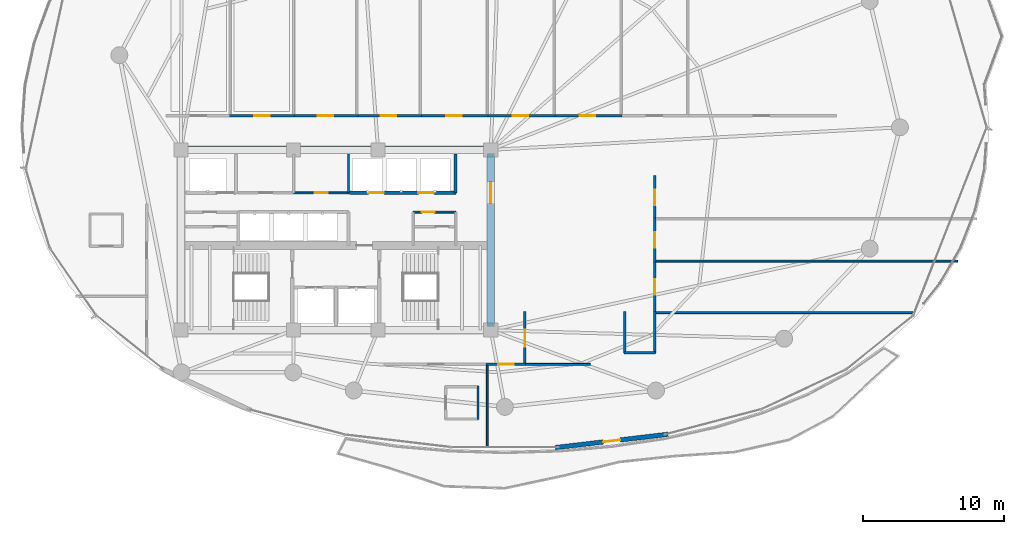
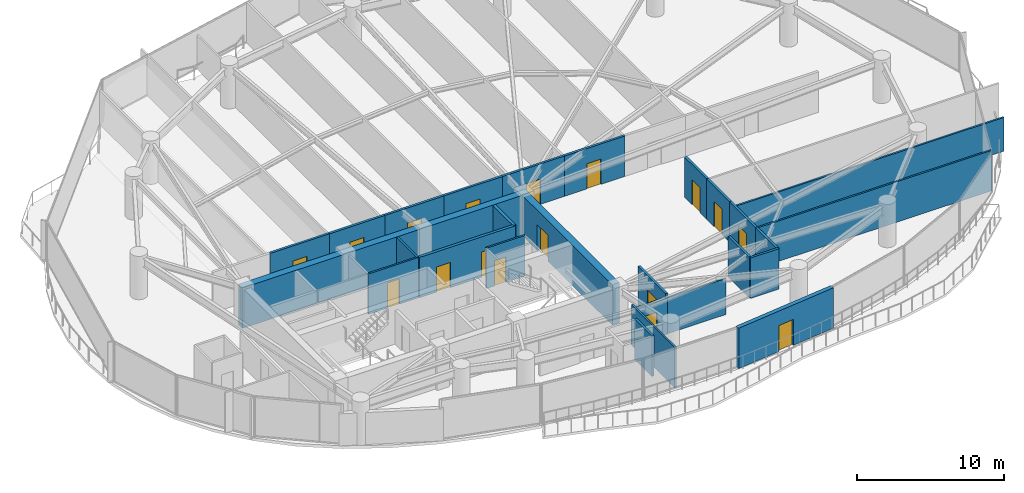
# One storey, part 27 of 34: 27 walls, 17 doors, 17 openings.
"""IFC4 building model written with IfcOpenShell, lengths in metres."""

from ifc_helpers import new_model, si_unit, direction, frame, frame_2d, origin, place, context, subcontext, project, spatial, rectangle, extrude, material, layer, layer_set, type_object, element, fill, save


model = new_model("IFC4")

# Units and contexts
model_context = context("Model", 3, precision=1e-05, world=origin(), true_north=direction((0.0, 1.0)))
body_context = subcontext(model_context, "Body", "Model", "MODEL_VIEW")
ifc_project = project(units=[si_unit("LENGTHUNIT", "METRE"), si_unit("AREAUNIT", "SQUARE_METRE"), si_unit("VOLUMEUNIT", "CUBIC_METRE"), si_unit("PLANEANGLEUNIT", "RADIAN"), si_unit("MASSUNIT", "GRAM", prefix="KILO")], contexts=[model_context])

# Site, building, storey
site_placement = place(None, origin())
site = spatial("IfcSite", under=ifc_project, at=site_placement, CompositionType="ELEMENT")
building_placement = place(site_placement, origin())
building = spatial("IfcBuilding", under=site, at=building_placement, Name="Kazevale Care Tower and Concert Hall", CompositionType="ELEMENT")
storey_placement = place(building_placement, frame((0.0, 0.0, 174.60009765625)))
storey = spatial("IfcBuildingStorey", under=building, at=storey_placement, Name="L46", CompositionType="ELEMENT", Elevation=174.60009765625)

# Wall, opening, door
ifc_material_1 = material(Name="Acoustic Gypsum on Steel Stud", Category="steel")
ifc_layer_1 = layer(ifc_material_1, 0.139892578125)
ifc_layer_set_1 = layer_set([ifc_layer_1], Name="Acoustic Gypsum on Steel Stud")
wall_type_1 = type_object("IfcWallType", Name="Acoustic Care & Suite Partition 140", PredefinedType="PARTITIONING", material=ifc_layer_set_1)
wall_1_placement = place(storey_placement, frame((30.0, 33.35009765625, 0.0), z_axis=(0.0, 0.0, 1.0), x_axis=(1.0, 0.0, 0.0)))
wall_1 = element("IfcWall", 1, at=wall_1_placement, inside=storey, type_object=wall_type_1, Name="wall:L46:c_rpl2_s", PredefinedType="PARTITIONING", context=body_context, shape_type="SweptSolid", body=[
    extrude(rectangle(XDim=3.919921875, YDim=0.139892578125, at=frame_2d((1.9599609375, 0.0))), origin(), (0.0, 0.0, 1.0), 3.35986328125),
])
opening_1_placement = place(wall_1_placement, frame((1.5, 0.0, 0.0)))
opening_1 = element("IfcOpeningElement", 2, at=opening_1_placement, cuts=wall_1, Name="Opening ID-900", PredefinedType="OPENING", context=body_context, shape_type="SweptSolid", body=[
    extrude(rectangle(XDim=0.919921875, YDim=2.10009765625, at=frame_2d((0.4599609375, 1.050048828125))), frame((0.0, 0.079833984375, 0.0), z_axis=(0.0, -1.0, 0.0), x_axis=(1.0, 0.0, 0.0)), (0.0, 0.0, 1.0), 0.159912109375),
])
ifc_material_2 = material(Name="Oak Timber Fire Leaf", Category="wood")
door_type_1 = type_object("IfcDoorType", Name="Bathroom & Service Door 920x2100", OperationType="NOTDEFINED", PredefinedType="DOOR", material=ifc_material_2)
door_1_placement = place(opening_1_placement, origin())
door_1 = element("IfcDoor", 3, at=door_1_placement, inside=storey, type_object=door_type_1, Name="door:L46:d_rpl2", OperationType="SINGLE_SWING_RIGHT", OverallHeight=2.10009765625, OverallWidth=0.919921875, PredefinedType="DOOR", context=body_context, shape_type="SweptSolid", body=[
    extrude(rectangle(XDim=0.919921875, YDim=2.10009765625, at=frame_2d((0.4599609375, 1.050048828125))), frame((0.0, 0.02490234375, 0.0), z_axis=(0.0, -1.0, 0.0), x_axis=(1.0, 0.0, 0.0)), (0.0, 0.0, 1.0), 0.050048828125),
])
fill(opening_1, door_1)

# Wall
wall_2_placement = place(storey_placement, frame((33.89990234375, 33.35009765625, 0.0), z_axis=(0.0, 0.0, 1.0), x_axis=(0.0, 1.0, 0.0)))
element("IfcWall", 4, at=wall_2_placement, inside=storey, type_object=wall_type_1, Name="wall:L46:c_rpl_e", PredefinedType="PARTITIONING", context=body_context, shape_type="SweptSolid", body=[
    extrude(rectangle(XDim=2.75, YDim=0.139892578125, at=frame_2d((1.375, 0.0))), origin(), (0.0, 0.0, 1.0), 3.35986328125),
])

# Wall, opening, door
wall_3_placement = place(storey_placement, frame((38.47998046875, 31.97998046875, 0.0), z_axis=(0.0, 0.0, 1.0), x_axis=(1.0, 0.0, 0.0)))
wall_3 = element("IfcWall", 5, at=wall_3_placement, inside=storey, type_object=wall_type_1, Name="wall:L46:kc_en", PredefinedType="PARTITIONING", context=body_context, shape_type="SweptSolid", body=[
    extrude(rectangle(XDim=3.0400390625, YDim=0.139892578125, at=frame_2d((1.52001953125, 0.0))), origin(), (0.0, 0.0, 1.0), 3.35986328125),
])
opening_2_placement = place(wall_3_placement, frame((0.614013671875, 0.0, 0.0)))
opening_2 = element("IfcOpeningElement", 6, at=opening_2_placement, cuts=wall_3, Name="Opening ID-900", PredefinedType="OPENING", context=body_context, shape_type="SweptSolid", body=[
    extrude(rectangle(XDim=0.919921875, YDim=2.10009765625, at=frame_2d((0.4599609375, 1.050048828125))), frame((0.0, 0.079833984375, 0.0), z_axis=(0.0, -1.0, 0.0), x_axis=(1.0, 0.0, 0.0)), (0.0, 0.0, 1.0), 0.159912109375),
])
door_2_placement = place(opening_2_placement, origin())
door_2 = element("IfcDoor", 7, at=door_2_placement, inside=storey, type_object=door_type_1, Name="door:L46:d_kcet", OperationType="SINGLE_SWING_LEFT", OverallHeight=2.10009765625, OverallWidth=0.919921875, PredefinedType="DOOR", context=body_context, shape_type="SweptSolid", body=[
    extrude(rectangle(XDim=0.919921875, YDim=2.10009765625, at=frame_2d((0.4599609375, 1.050048828125))), frame((0.0, 0.02490234375, 0.0), z_axis=(0.0, -1.0, 0.0), x_axis=(1.0, 0.0, 0.0)), (0.0, 0.0, 1.0), 0.050048828125),
])
fill(opening_2, door_2)

# Walls
wall_4_placement = place(storey_placement, frame((55.6201171875, 24.840087890625, 0.0), z_axis=(0.0, 0.0, 1.0), x_axis=(1.0, 0.0, 0.0)))
element("IfcWall", 8, at=wall_4_placement, inside=storey, type_object=wall_type_1, Name="wall:L46:auto_029", PredefinedType="PARTITIONING", context=body_context, shape_type="SweptSolid", body=[
    extrude(rectangle(XDim=18.44482421875, YDim=0.139892578125, at=frame_2d((9.222412109375, 0.0))), origin(), (0.0, 0.0, 1.0), 3.35986328125),
])
wall_5_placement = place(storey_placement, frame((51.06494140625, 21.175048828125, 0.0), z_axis=(0.0, 0.0, 1.0), x_axis=(-1.0, 0.0, 0.0)))
element("IfcWall", 9, at=wall_5_placement, inside=storey, type_object=wall_type_1, Name="wall:L46:auto_030", PredefinedType="PARTITIONING", context=body_context, shape_type="SweptSolid", body=[
    extrude(rectangle(XDim=4.669921875, YDim=0.139892578125, at=frame_2d((2.3349609375, 0.0))), origin(), (0.0, 0.0, 1.0), 2.995849609375),
])
wall_6_placement = place(storey_placement, frame((55.6201171875, 28.5, 0.0), z_axis=(0.0, 0.0, 1.0), x_axis=(1.0, 0.0, 0.0)))
element("IfcWall", 10, at=wall_6_placement, inside=storey, type_object=wall_type_1, Name="wall:L46:auto_031", PredefinedType="PARTITIONING", context=body_context, shape_type="SweptSolid", body=[
    extrude(rectangle(XDim=21.519775390625, YDim=0.139892578125, at=frame_2d((10.759765625, 0.0))), origin(), (0.0, 0.0, 1.0), 2.805908203125),
])
wall_7_placement = place(storey_placement, frame((43.75, 21.205078125, 0.0), z_axis=(0.0, 0.0, 1.0), x_axis=(0.0, -1.0, 0.0)))
element("IfcWall", 11, at=wall_7_placement, inside=storey, type_object=wall_type_1, Name="wall:L46:auto_033", PredefinedType="PARTITIONING", context=body_context, shape_type="SweptSolid", body=[
    extrude(rectangle(XDim=5.906005859375, YDim=0.139892578125, at=frame_2d((2.953125, 0.0))), origin(), (0.0, 0.0, 1.0), 3.35986328125),
])
ifc_material_3 = material(Name="Concrete C60", Category="concrete")
ifc_layer_2 = layer(ifc_material_3, 0.550048828125)
ifc_layer_set_2 = layer_set([ifc_layer_2], Name="Concrete C60")
wall_type_2 = type_object("IfcWallType", Name="Core Shear Wall 550 C60", PredefinedType="SHEAR", material=ifc_layer_set_2)
wall_8_placement = place(storey_placement, frame((21.72509765625, 36.39990234375, 0.0), z_axis=(0.0, 0.0, 1.0), x_axis=(1.0, 0.0, 0.0)))
element("IfcWall", 12, at=wall_8_placement, inside=storey, type_object=wall_type_2, Name="wall:L46:core:N", PredefinedType="SHEAR", context=body_context, shape_type="SweptSolid", body=[
    extrude(rectangle(XDim=22.5498046875, YDim=0.550048828125, at=frame_2d((11.27490234375, 0.0))), origin(), (0.0, 0.0, 1.0), 3.35986328125),
])

# Wall, opening, door
wall_9_placement = place(storey_placement, frame((44.0, 23.875, 0.0), z_axis=(0.0, 0.0, 1.0), x_axis=(0.0, 1.0, 0.0)))
wall_9 = element("IfcWall", 13, at=wall_9_placement, inside=storey, type_object=wall_type_2, Name="wall:L46:core:E", PredefinedType="SHEAR", context=body_context, shape_type="SweptSolid", body=[
    extrude(rectangle(XDim=12.25, YDim=0.550048828125, at=frame_2d((6.125, 0.0))), origin(), (0.0, 0.0, 1.0), 3.35986328125),
])
opening_3_placement = place(wall_9_placement, frame((8.72509765625, 0.0, 0.0)))
opening_3 = element("IfcOpeningElement", 14, at=opening_3_placement, cuts=wall_9, Name="Opening FD-60D", PredefinedType="OPENING", context=body_context, shape_type="SweptSolid", body=[
    extrude(rectangle(XDim=1.5, YDim=2.14990234375, at=frame_2d((0.75, 1.074951171875))), frame((0.0, 0.284912109375, 0.0), z_axis=(0.0, -1.0, 0.0), x_axis=(1.0, 0.0, 0.0)), (0.0, 0.0, 1.0), 0.570068359375),
])
door_type_2 = type_object("IfcDoorType", Name="Double Lobby & Auditorium Fire Door 1500x2150", OperationType="NOTDEFINED", PredefinedType="DOOR", material=ifc_material_2)
door_3_placement = place(opening_3_placement, origin())
door_3 = element("IfcDoor", 15, at=door_3_placement, inside=storey, type_object=door_type_2, Name="door:L46:core_east_out", OperationType="DOUBLE_DOOR_SINGLE_SWING", OverallHeight=2.14990234375, OverallWidth=1.5, PredefinedType="DOOR", context=body_context, shape_type="SweptSolid", body=[
    extrude(rectangle(XDim=1.5, YDim=2.14990234375, at=frame_2d((0.75, 1.074951171875))), frame((0.0, 0.02490234375, 0.0), z_axis=(0.0, -1.0, 0.0), x_axis=(1.0, 0.0, 0.0)), (0.0, 0.0, 1.0), 0.050048828125),
])
fill(opening_3, door_3)

# Wall, openings, doors
ifc_material_4 = material(Name="Concrete C40", Category="concrete")
ifc_layer_3 = layer(ifc_material_4, 0.219970703125)
ifc_layer_set_3 = layer_set([ifc_layer_3], Name="Concrete C40")
wall_type_3 = type_object("IfcWallType", Name="Elevator Hoistway Shaft Wall 220", PredefinedType="SOLIDWALL", material=ifc_layer_set_3)
wall_10_placement = place(storey_placement, frame((33.97998046875, 33.35009765625, 0.0), z_axis=(0.0, 0.0, 1.0), x_axis=(1.0, 0.0, 0.0)))
wall_10 = element("IfcWall", 16, at=wall_10_placement, inside=storey, type_object=wall_type_3, Name="wall:L46:c_pm_s", PredefinedType="SOLIDWALL", context=body_context, shape_type="SweptSolid", body=[
    extrude(rectangle(XDim=7.5400390625, YDim=0.219970703125, at=frame_2d((3.77001953125, 0.0))), origin(), (0.0, 0.0, 1.0), 3.35986328125),
])
opening_4_placement = place(wall_10_placement, frame((1.3349609375, 0.0, 0.0)))
opening_4 = element("IfcOpeningElement", 17, at=opening_4_placement, cuts=wall_10, Name="Opening LD-PAX", PredefinedType="OPENING", context=body_context, shape_type="SweptSolid", body=[
    extrude(rectangle(XDim=1.10009765625, YDim=2.10009765625, at=frame_2d((0.550048828125, 1.050048828125))), frame((0.0, 0.119873046875, 0.0), z_axis=(0.0, -1.0, 0.0), x_axis=(1.0, 0.0, 0.0)), (0.0, 0.0, 1.0), 0.239990234375),
])
opening_5_placement = place(wall_10_placement, frame((4.87890625, 0.0, 0.0)))
opening_5 = element("IfcOpeningElement", 18, at=opening_5_placement, cuts=wall_10, Name="Opening LD-PAX", PredefinedType="OPENING", context=body_context, shape_type="SweptSolid", body=[
    extrude(rectangle(XDim=1.10009765625, YDim=2.10009765625, at=frame_2d((0.550048828125, 1.050048828125))), frame((0.0, 0.119873046875, 0.0), z_axis=(0.0, -1.0, 0.0), x_axis=(1.0, 0.0, 0.0)), (0.0, 0.0, 1.0), 0.239990234375),
])
ifc_material_5 = material(Name="Stainless Steel 316", Category="steel")
door_type_3 = type_object("IfcDoorType", Name="Passenger Lift Sliding Landing Door 1100x2100", OperationType="NOTDEFINED", PredefinedType="DOOR", material=ifc_material_5)
door_4_placement = place(opening_4_placement, origin())
door_4 = element("IfcDoor", 19, at=door_4_placement, inside=storey, type_object=door_type_3, Name="door:L46:ld_pm1", OperationType="SLIDING_TO_LEFT", OverallHeight=2.10009765625, OverallWidth=1.10009765625, PredefinedType="DOOR", context=body_context, shape_type="SweptSolid", body=[
    extrude(rectangle(XDim=1.10009765625, YDim=2.10009765625, at=frame_2d((0.550048828125, 1.050048828125))), frame((0.0, 0.02490234375, 0.0), z_axis=(0.0, -1.0, 0.0), x_axis=(1.0, 0.0, 0.0)), (0.0, 0.0, 1.0), 0.050048828125),
])
fill(opening_4, door_4)
door_5_placement = place(opening_5_placement, origin())
door_5 = element("IfcDoor", 20, at=door_5_placement, inside=storey, type_object=door_type_3, Name="door:L46:ld_pm2", OperationType="SLIDING_TO_RIGHT", OverallHeight=2.10009765625, OverallWidth=1.10009765625, PredefinedType="DOOR", context=body_context, shape_type="SweptSolid", body=[
    extrude(rectangle(XDim=1.10009765625, YDim=2.10009765625, at=frame_2d((0.550048828125, 1.050048828125))), frame((0.0, 0.02490234375, 0.0), z_axis=(0.0, -1.0, 0.0), x_axis=(1.0, 0.0, 0.0)), (0.0, 0.0, 1.0), 0.050048828125),
])
fill(opening_5, door_5)

# Wall
wall_11_placement = place(storey_placement, frame((41.5, 33.35009765625, 0.0), z_axis=(0.0, 0.0, 1.0), x_axis=(0.0, 1.0, 0.0)))
element("IfcWall", 21, at=wall_11_placement, inside=storey, type_object=wall_type_3, Name="wall:L46:c_pm_e", PredefinedType="SOLIDWALL", context=body_context, shape_type="SweptSolid", body=[
    extrude(rectangle(XDim=2.75, YDim=0.219970703125, at=frame_2d((1.375, 0.0))), origin(), (0.0, 0.0, 1.0), 3.35986328125),
])

# Wall, opening, door
ifc_material_6 = material(Name="Concrete C40 and Acoustic Gypsum", Category="concrete")
ifc_layer_4 = layer(ifc_material_6, 0.179931640625)
ifc_layer_set_4 = layer_set([ifc_layer_4], Name="Concrete C40 and Acoustic Gypsum")
wall_type_4 = type_object("IfcWallType", Name="Fire-Rated Corridor & Party Wall 180", PredefinedType="PARTITIONING", material=ifc_layer_set_4)
wall_12_placement = place(storey_placement, frame((25.43505859375, 38.824951171875, 0.0), z_axis=(0.0, 0.0, 1.0), x_axis=(1.0, 0.0, 0.0)))
wall_12 = element("IfcWall", 22, at=wall_12_placement, inside=storey, type_object=wall_type_4, Name="wall:L46:auto_002", PredefinedType="PARTITIONING", context=body_context, shape_type="SweptSolid", body=[
    extrude(rectangle(XDim=4.6298828125, YDim=0.179931640625, at=frame_2d((2.31494140625, 0.0))), origin(), (0.0, 0.0, 1.0), 3.35986328125),
])
opening_6_placement = place(wall_12_placement, frame((1.764892578125, 0.0, 0.0)))
opening_6 = element("IfcOpeningElement", 23, at=opening_6_placement, cuts=wall_12, Name="Opening ID-1100", PredefinedType="OPENING", context=body_context, shape_type="SweptSolid", body=[
    extrude(rectangle(XDim=1.10009765625, YDim=2.10009765625, at=frame_2d((0.550048828125, 1.050048828125))), frame((0.0, 0.099853515625, 0.0), z_axis=(0.0, -1.0, 0.0), x_axis=(1.0, 0.0, 0.0)), (0.0, 0.0, 1.0), 0.199951171875),
])
door_type_4 = type_object("IfcDoorType", Name="Care Bedroom Accessible Door 1100x2100", OperationType="NOTDEFINED", PredefinedType="DOOR", material=ifc_material_2)
door_6_placement = place(opening_6_placement, origin())
door_6 = element("IfcDoor", 24, at=door_6_placement, inside=storey, type_object=door_type_4, Name="door:L46:ad_002", OperationType="SINGLE_SWING_LEFT", OverallHeight=2.10009765625, OverallWidth=1.10009765625, PredefinedType="DOOR", context=body_context, shape_type="SweptSolid", body=[
    extrude(rectangle(XDim=1.10009765625, YDim=2.10009765625, at=frame_2d((0.550048828125, 1.050048828125))), frame((0.0, 0.02490234375, 0.0), z_axis=(0.0, -1.0, 0.0), x_axis=(1.0, 0.0, 0.0)), (0.0, 0.0, 1.0), 0.050048828125),
])
fill(opening_6, door_6)

wall_13_placement = place(storey_placement, frame((29.93505859375, 38.824951171875, 0.0), z_axis=(0.0, 0.0, 1.0), x_axis=(1.0, 0.0, 0.0)))
wall_13 = element("IfcWall", 25, at=wall_13_placement, inside=storey, type_object=wall_type_4, Name="wall:L46:auto_003", PredefinedType="PARTITIONING", context=body_context, shape_type="SweptSolid", body=[
    extrude(rectangle(XDim=4.6298828125, YDim=0.179931640625, at=frame_2d((2.31494140625, 0.0))), origin(), (0.0, 0.0, 1.0), 3.35986328125),
])
opening_7_placement = place(wall_13_placement, frame((1.764892578125, 0.0, 0.0)))
opening_7 = element("IfcOpeningElement", 26, at=opening_7_placement, cuts=wall_13, Name="Opening ID-1100", PredefinedType="OPENING", context=body_context, shape_type="SweptSolid", body=[
    extrude(rectangle(XDim=1.10009765625, YDim=2.10009765625, at=frame_2d((0.550048828125, 1.050048828125))), frame((0.0, 0.099853515625, 0.0), z_axis=(0.0, -1.0, 0.0), x_axis=(1.0, 0.0, 0.0)), (0.0, 0.0, 1.0), 0.199951171875),
])
door_7_placement = place(opening_7_placement, origin())
door_7 = element("IfcDoor", 27, at=door_7_placement, inside=storey, type_object=door_type_4, Name="door:L46:ad_003", OperationType="SINGLE_SWING_LEFT", OverallHeight=2.10009765625, OverallWidth=1.10009765625, PredefinedType="DOOR", context=body_context, shape_type="SweptSolid", body=[
    extrude(rectangle(XDim=1.10009765625, YDim=2.10009765625, at=frame_2d((0.550048828125, 1.050048828125))), frame((0.0, 0.02490234375, 0.0), z_axis=(0.0, -1.0, 0.0), x_axis=(1.0, 0.0, 0.0)), (0.0, 0.0, 1.0), 0.050048828125),
])
fill(opening_7, door_7)

wall_14_placement = place(storey_placement, frame((34.43505859375, 38.824951171875, 0.0), z_axis=(0.0, 0.0, 1.0), x_axis=(1.0, 0.0, 0.0)))
wall_14 = element("IfcWall", 28, at=wall_14_placement, inside=storey, type_object=wall_type_4, Name="wall:L46:auto_004", PredefinedType="PARTITIONING", context=body_context, shape_type="SweptSolid", body=[
    extrude(rectangle(XDim=4.6298828125, YDim=0.179931640625, at=frame_2d((2.31494140625, 0.0))), origin(), (0.0, 0.0, 1.0), 3.35986328125),
])
opening_8_placement = place(wall_14_placement, frame((1.764892578125, 0.0, 0.0)))
opening_8 = element("IfcOpeningElement", 29, at=opening_8_placement, cuts=wall_14, Name="Opening ID-1100", PredefinedType="OPENING", context=body_context, shape_type="SweptSolid", body=[
    extrude(rectangle(XDim=1.10009765625, YDim=2.10009765625, at=frame_2d((0.550048828125, 1.050048828125))), frame((0.0, 0.099853515625, 0.0), z_axis=(0.0, -1.0, 0.0), x_axis=(1.0, 0.0, 0.0)), (0.0, 0.0, 1.0), 0.199951171875),
])
door_8_placement = place(opening_8_placement, origin())
door_8 = element("IfcDoor", 30, at=door_8_placement, inside=storey, type_object=door_type_4, Name="door:L46:ad_004", OperationType="SINGLE_SWING_LEFT", OverallHeight=2.10009765625, OverallWidth=1.10009765625, PredefinedType="DOOR", context=body_context, shape_type="SweptSolid", body=[
    extrude(rectangle(XDim=1.10009765625, YDim=2.10009765625, at=frame_2d((0.550048828125, 1.050048828125))), frame((0.0, 0.02490234375, 0.0), z_axis=(0.0, -1.0, 0.0), x_axis=(1.0, 0.0, 0.0)), (0.0, 0.0, 1.0), 0.050048828125),
])
fill(opening_8, door_8)

wall_15_placement = place(storey_placement, frame((38.93505859375, 38.824951171875, 0.0), z_axis=(0.0, 0.0, 1.0), x_axis=(1.0, 0.0, 0.0)))
wall_15 = element("IfcWall", 31, at=wall_15_placement, inside=storey, type_object=wall_type_4, Name="wall:L46:auto_005", PredefinedType="PARTITIONING", context=body_context, shape_type="SweptSolid", body=[
    extrude(rectangle(XDim=4.8798828125, YDim=0.179931640625, at=frame_2d((2.43994140625, 0.0))), origin(), (0.0, 0.0, 1.0), 3.35986328125),
])
opening_9_placement = place(wall_15_placement, frame((1.889892578125, 0.0, 0.0)))
opening_9 = element("IfcOpeningElement", 32, at=opening_9_placement, cuts=wall_15, Name="Opening ID-1100", PredefinedType="OPENING", context=body_context, shape_type="SweptSolid", body=[
    extrude(rectangle(XDim=1.10009765625, YDim=2.10009765625, at=frame_2d((0.550048828125, 1.050048828125))), frame((0.0, 0.099853515625, 0.0), z_axis=(0.0, -1.0, 0.0), x_axis=(1.0, 0.0, 0.0)), (0.0, 0.0, 1.0), 0.199951171875),
])
door_9_placement = place(opening_9_placement, origin())
door_9 = element("IfcDoor", 33, at=door_9_placement, inside=storey, type_object=door_type_4, Name="door:L46:ad_005", OperationType="SINGLE_SWING_LEFT", OverallHeight=2.10009765625, OverallWidth=1.10009765625, PredefinedType="DOOR", context=body_context, shape_type="SweptSolid", body=[
    extrude(rectangle(XDim=1.10009765625, YDim=2.10009765625, at=frame_2d((0.550048828125, 1.050048828125))), frame((0.0, 0.02490234375, 0.0), z_axis=(0.0, -1.0, 0.0), x_axis=(1.0, 0.0, 0.0)), (0.0, 0.0, 1.0), 0.050048828125),
])
fill(opening_9, door_9)

wall_16_placement = place(storey_placement, frame((43.68505859375, 38.824951171875, 0.0), z_axis=(0.0, 0.0, 1.0), x_axis=(1.0, 0.0, 0.0)))
wall_16 = element("IfcWall", 34, at=wall_16_placement, inside=storey, type_object=wall_type_4, Name="wall:L46:auto_006", PredefinedType="PARTITIONING", context=body_context, shape_type="SweptSolid", body=[
    extrude(rectangle(XDim=4.8798828125, YDim=0.179931640625, at=frame_2d((2.43994140625, 0.0))), origin(), (0.0, 0.0, 1.0), 3.35986328125),
])
opening_10_placement = place(wall_16_placement, frame((1.889892578125, 0.0, 0.0)))
opening_10 = element("IfcOpeningElement", 35, at=opening_10_placement, cuts=wall_16, Name="Opening ID-1100", PredefinedType="OPENING", context=body_context, shape_type="SweptSolid", body=[
    extrude(rectangle(XDim=1.10009765625, YDim=2.10009765625, at=frame_2d((0.550048828125, 1.050048828125))), frame((0.0, 0.099853515625, 0.0), z_axis=(0.0, -1.0, 0.0), x_axis=(1.0, 0.0, 0.0)), (0.0, 0.0, 1.0), 0.199951171875),
])
door_10_placement = place(opening_10_placement, origin())
door_10 = element("IfcDoor", 36, at=door_10_placement, inside=storey, type_object=door_type_4, Name="door:L46:ad_006", OperationType="SINGLE_SWING_LEFT", OverallHeight=2.10009765625, OverallWidth=1.10009765625, PredefinedType="DOOR", context=body_context, shape_type="SweptSolid", body=[
    extrude(rectangle(XDim=1.10009765625, YDim=2.10009765625, at=frame_2d((0.550048828125, 1.050048828125))), frame((0.0, 0.02490234375, 0.0), z_axis=(0.0, -1.0, 0.0), x_axis=(1.0, 0.0, 0.0)), (0.0, 0.0, 1.0), 0.050048828125),
])
fill(opening_10, door_10)

wall_17_placement = place(storey_placement, frame((48.43505859375, 38.824951171875, 0.0), z_axis=(0.0, 0.0, 1.0), x_axis=(1.0, 0.0, 0.0)))
wall_17 = element("IfcWall", 37, at=wall_17_placement, inside=storey, type_object=wall_type_4, Name="wall:L46:auto_007", PredefinedType="PARTITIONING", context=body_context, shape_type="SweptSolid", body=[
    extrude(rectangle(XDim=4.8798828125, YDim=0.179931640625, at=frame_2d((2.43994140625, 0.0))), origin(), (0.0, 0.0, 1.0), 3.35986328125),
])
opening_11_placement = place(wall_17_placement, frame((1.889892578125, 0.0, 0.0)))
opening_11 = element("IfcOpeningElement", 38, at=opening_11_placement, cuts=wall_17, Name="Opening ID-1100", PredefinedType="OPENING", context=body_context, shape_type="SweptSolid", body=[
    extrude(rectangle(XDim=1.10009765625, YDim=2.10009765625, at=frame_2d((0.550048828125, 1.050048828125))), frame((0.0, 0.099853515625, 0.0), z_axis=(0.0, -1.0, 0.0), x_axis=(1.0, 0.0, 0.0)), (0.0, 0.0, 1.0), 0.199951171875),
])
door_11_placement = place(opening_11_placement, origin())
door_11 = element("IfcDoor", 39, at=door_11_placement, inside=storey, type_object=door_type_4, Name="door:L46:ad_007", OperationType="SINGLE_SWING_LEFT", OverallHeight=2.10009765625, OverallWidth=1.10009765625, PredefinedType="DOOR", context=body_context, shape_type="SweptSolid", body=[
    extrude(rectangle(XDim=1.10009765625, YDim=2.10009765625, at=frame_2d((0.550048828125, 1.050048828125))), frame((0.0, 0.02490234375, 0.0), z_axis=(0.0, -1.0, 0.0), x_axis=(1.0, 0.0, 0.0)), (0.0, 0.0, 1.0), 0.050048828125),
])
fill(opening_11, door_11)

wall_18_placement = place(storey_placement, frame((46.425048828125, 24.905029296875, 0.0), z_axis=(0.0, 0.0, 1.0), x_axis=(0.0, -1.0, 0.0)))
wall_18 = element("IfcWall", 40, at=wall_18_placement, inside=storey, type_object=wall_type_4, Name="wall:L46:auto_010", PredefinedType="PARTITIONING", context=body_context, shape_type="SweptSolid", body=[
    extrude(rectangle(XDim=3.760009765625, YDim=0.179931640625, at=frame_2d((1.8798828125, 0.0))), origin(), (0.0, 0.0, 1.0), 3.35986328125),
])
opening_12_placement = place(wall_18_placement, frame((1.280029296875, 0.0, 0.0)))
opening_12 = element("IfcOpeningElement", 41, at=opening_12_placement, cuts=wall_18, Name="Opening ID-1200", PredefinedType="OPENING", context=body_context, shape_type="SweptSolid", body=[
    extrude(rectangle(XDim=1.199951171875, YDim=2.14990234375, at=frame_2d((0.60009765625, 1.074951171875))), frame((0.0, 0.099853515625, 0.0), z_axis=(0.0, -1.0, 0.0), x_axis=(1.0, 0.0, 0.0)), (0.0, 0.0, 1.0), 0.199951171875),
])
door_type_5 = type_object("IfcDoorType", Name="Clinical & Therapy Door 1200x2150", OperationType="NOTDEFINED", PredefinedType="DOOR", material=ifc_material_2)
door_12_placement = place(opening_12_placement, origin())
door_12 = element("IfcDoor", 42, at=door_12_placement, inside=storey, type_object=door_type_5, Name="door:L46:ad_010", OperationType="SINGLE_SWING_LEFT", OverallHeight=2.14990234375, OverallWidth=1.199951171875, PredefinedType="DOOR", context=body_context, shape_type="SweptSolid", body=[
    extrude(rectangle(XDim=1.199951171875, YDim=2.14990234375, at=frame_2d((0.60009765625, 1.074951171875))), frame((0.0, 0.02490234375, 0.0), z_axis=(0.0, -1.0, 0.0), x_axis=(1.0, 0.0, 0.0)), (0.0, 0.0, 1.0), 0.050048828125),
])
fill(opening_12, door_12)

# Walls
for number, where, z_axis, x_axis, name in (
    (43, (55.64990234375, 24.905029296875, 0.0), (0.0, 0.0, 1.0), (0.0, -1.0, 0.0), "wall:L46:auto_011"),
    (44, (53.5, 21.969970703125, 0.0), (0.0, 0.0, 1.0), (0.0, 1.0, 0.0), "wall:L46:auto_012"),
):
    element("IfcWall", number, at=place(storey_placement, frame(where, z_axis=z_axis, x_axis=x_axis)), inside=storey, type_object=wall_type_4, Name=name, PredefinedType="PARTITIONING", context=body_context, shape_type="SweptSolid", body=[
        extrude(rectangle(XDim=2.93505859375, YDim=0.179931640625, at=frame_2d((1.467529296875, 0.0))), origin(), (0.0, 0.0, 1.0), 3.35986328125),
    ])
wall_19_placement = place(storey_placement, frame((55.679931640625, 22.0, 0.0), z_axis=(0.0, 0.0, 1.0), x_axis=(-1.0, 0.0, 0.0)))
element("IfcWall", 45, at=wall_19_placement, inside=storey, type_object=wall_type_4, Name="wall:L46:auto_013", PredefinedType="PARTITIONING", context=body_context, shape_type="SweptSolid", body=[
    extrude(rectangle(XDim=2.2099609375, YDim=0.179931640625, at=frame_2d((1.10498046875, 0.0))), origin(), (0.0, 0.0, 1.0), 3.35986328125),
])

# Wall, opening, door
wall_20_placement = place(storey_placement, frame((55.64990234375, 28.56494140625, 0.0), z_axis=(0.0, 0.0, 1.0), x_axis=(0.0, -1.0, 0.0)))
wall_20 = element("IfcWall", 46, at=wall_20_placement, inside=storey, type_object=wall_type_4, Name="wall:L46:auto_014", PredefinedType="PARTITIONING", context=body_context, shape_type="SweptSolid", body=[
    extrude(rectangle(XDim=3.7900390625, YDim=0.179931640625, at=frame_2d((1.89501953125, 0.0))), origin(), (0.0, 0.0, 1.0), 3.35986328125),
])
opening_13_placement = place(wall_20_placement, frame((1.344970703125, 0.0, 0.0)))
opening_13 = element("IfcOpeningElement", 47, at=opening_13_placement, cuts=wall_20, Name="Opening ID-1100", PredefinedType="OPENING", context=body_context, shape_type="SweptSolid", body=[
    extrude(rectangle(XDim=1.10009765625, YDim=2.10009765625, at=frame_2d((0.550048828125, 1.050048828125))), frame((0.0, 0.099853515625, 0.0), z_axis=(0.0, -1.0, 0.0), x_axis=(1.0, 0.0, 0.0)), (0.0, 0.0, 1.0), 0.199951171875),
])
door_13_placement = place(opening_13_placement, origin())
door_13 = element("IfcDoor", 48, at=door_13_placement, inside=storey, type_object=door_type_4, Name="door:L46:ad_014", OperationType="SINGLE_SWING_LEFT", OverallHeight=2.10009765625, OverallWidth=1.10009765625, PredefinedType="DOOR", context=body_context, shape_type="SweptSolid", body=[
    extrude(rectangle(XDim=1.10009765625, YDim=2.10009765625, at=frame_2d((0.550048828125, 1.050048828125))), frame((0.0, 0.02490234375, 0.0), z_axis=(0.0, -1.0, 0.0), x_axis=(1.0, 0.0, 0.0)), (0.0, 0.0, 1.0), 0.050048828125),
])
fill(opening_13, door_13)

wall_21_placement = place(storey_placement, frame((55.64990234375, 31.56494140625, 0.0), z_axis=(0.0, 0.0, 1.0), x_axis=(0.0, -1.0, 0.0)))
wall_21 = element("IfcWall", 49, at=wall_21_placement, inside=storey, type_object=wall_type_4, Name="wall:L46:auto_015", PredefinedType="PARTITIONING", context=body_context, shape_type="SweptSolid", body=[
    extrude(rectangle(XDim=3.1298828125, YDim=0.179931640625, at=frame_2d((1.56494140625, 0.0))), origin(), (0.0, 0.0, 1.0), 3.35986328125),
])
opening_14_placement = place(wall_21_placement, frame((1.014892578125, 0.0, 0.0)))
opening_14 = element("IfcOpeningElement", 50, at=opening_14_placement, cuts=wall_21, Name="Opening ID-1100", PredefinedType="OPENING", context=body_context, shape_type="SweptSolid", body=[
    extrude(rectangle(XDim=1.10009765625, YDim=2.10009765625, at=frame_2d((0.550048828125, 1.050048828125))), frame((0.0, 0.099853515625, 0.0), z_axis=(0.0, -1.0, 0.0), x_axis=(1.0, 0.0, 0.0)), (0.0, 0.0, 1.0), 0.199951171875),
])
door_14_placement = place(opening_14_placement, origin())
door_14 = element("IfcDoor", 51, at=door_14_placement, inside=storey, type_object=door_type_4, Name="door:L46:ad_015", OperationType="SINGLE_SWING_LEFT", OverallHeight=2.10009765625, OverallWidth=1.10009765625, PredefinedType="DOOR", context=body_context, shape_type="SweptSolid", body=[
    extrude(rectangle(XDim=1.10009765625, YDim=2.10009765625, at=frame_2d((0.550048828125, 1.050048828125))), frame((0.0, 0.02490234375, 0.0), z_axis=(0.0, -1.0, 0.0), x_axis=(1.0, 0.0, 0.0)), (0.0, 0.0, 1.0), 0.050048828125),
])
fill(opening_14, door_14)

wall_22_placement = place(storey_placement, frame((55.64990234375, 34.56494140625, 0.0), z_axis=(0.0, 0.0, 1.0), x_axis=(0.0, -1.0, 0.0)))
wall_22 = element("IfcWall", 52, at=wall_22_placement, inside=storey, type_object=wall_type_4, Name="wall:L46:auto_016", PredefinedType="PARTITIONING", context=body_context, shape_type="SweptSolid", body=[
    extrude(rectangle(XDim=3.1298828125, YDim=0.179931640625, at=frame_2d((1.56494140625, 0.0))), origin(), (0.0, 0.0, 1.0), 3.35986328125),
])
opening_15_placement = place(wall_22_placement, frame((1.014892578125, 0.0, 0.0)))
opening_15 = element("IfcOpeningElement", 53, at=opening_15_placement, cuts=wall_22, Name="Opening ID-1100", PredefinedType="OPENING", context=body_context, shape_type="SweptSolid", body=[
    extrude(rectangle(XDim=1.10009765625, YDim=2.10009765625, at=frame_2d((0.550048828125, 1.050048828125))), frame((0.0, 0.099853515625, 0.0), z_axis=(0.0, -1.0, 0.0), x_axis=(1.0, 0.0, 0.0)), (0.0, 0.0, 1.0), 0.199951171875),
])
door_15_placement = place(opening_15_placement, origin())
door_15 = element("IfcDoor", 54, at=door_15_placement, inside=storey, type_object=door_type_4, Name="door:L46:ad_016", OperationType="SINGLE_SWING_LEFT", OverallHeight=2.10009765625, OverallWidth=1.10009765625, PredefinedType="DOOR", context=body_context, shape_type="SweptSolid", body=[
    extrude(rectangle(XDim=1.10009765625, YDim=2.10009765625, at=frame_2d((0.550048828125, 1.050048828125))), frame((0.0, 0.02490234375, 0.0), z_axis=(0.0, -1.0, 0.0), x_axis=(1.0, 0.0, 0.0)), (0.0, 0.0, 1.0), 0.050048828125),
])
fill(opening_15, door_15)

wall_23_placement = place(storey_placement, frame((46.455078125, 21.175048828125, 0.0), z_axis=(0.0, 0.0, 1.0), x_axis=(-1.0, 0.0, 0.0)))
wall_23 = element("IfcWall", 55, at=wall_23_placement, inside=storey, type_object=wall_type_4, Name="wall:L46:auto_018", PredefinedType="PARTITIONING", context=body_context, shape_type="SweptSolid", body=[
    extrude(rectangle(XDim=2.77001953125, YDim=0.179931640625, at=frame_2d((1.385009765625, 0.0))), origin(), (0.0, 0.0, 1.0), 2.995849609375),
])
opening_16_placement = place(wall_23_placement, frame((0.8349609375, 0.0, 0.0)))
opening_16 = element("IfcOpeningElement", 56, at=opening_16_placement, cuts=wall_23, Name="Opening ID-1100", PredefinedType="OPENING", context=body_context, shape_type="SweptSolid", body=[
    extrude(rectangle(XDim=1.10009765625, YDim=2.10009765625, at=frame_2d((0.550048828125, 1.050048828125))), frame((0.0, 0.099853515625, 0.0), z_axis=(0.0, -1.0, 0.0), x_axis=(1.0, 0.0, 0.0)), (0.0, 0.0, 1.0), 0.199951171875),
])
door_16_placement = place(opening_16_placement, origin())
door_16 = element("IfcDoor", 57, at=door_16_placement, inside=storey, type_object=door_type_4, Name="door:L46:ad_018", OperationType="SINGLE_SWING_LEFT", OverallHeight=2.10009765625, OverallWidth=1.10009765625, PredefinedType="DOOR", context=body_context, shape_type="SweptSolid", body=[
    extrude(rectangle(XDim=1.10009765625, YDim=2.10009765625, at=frame_2d((0.550048828125, 1.050048828125))), frame((0.0, 0.02490234375, 0.0), z_axis=(0.0, -1.0, 0.0), x_axis=(1.0, 0.0, 0.0)), (0.0, 0.0, 1.0), 0.050048828125),
])
fill(opening_16, door_16)

# Wall
ifc_layer_5 = layer(ifc_material_1, 0.159912109375)
ifc_layer_set_5 = layer_set([ifc_layer_5], Name="Acoustic Gypsum on Steel Stud")
wall_type_5 = type_object("IfcWallType", Name="Moisture-Resistant Bathroom Plumbing Wall 160", PredefinedType="PLUMBINGWALL", material=ifc_layer_set_5)
wall_24_placement = place(storey_placement, frame((43.10009765625, 17.241943359375, 0.0), z_axis=(0.0, 0.0, 1.0), x_axis=(0.0, 1.0, 0.0)))
element("IfcWall", 58, at=wall_24_placement, inside=storey, type_object=wall_type_5, Name="wall:L46:sb2a_ens_we", PredefinedType="PLUMBINGWALL", context=body_context, shape_type="SweptSolid", body=[
    extrude(rectangle(XDim=2.380126953125, YDim=0.159912109375, at=frame_2d((1.18994140625, 0.0))), origin(), (0.0, 0.0, 1.0), 3.35986328125),
])

# Wall, opening, door
ifc_material_7 = material(Name="Concrete C40 with Honed Limestone Cladding", Category="masonry")
ifc_layer_6 = layer(ifc_material_7, 0.320068359375)
ifc_layer_set_6 = layer_set([ifc_layer_6], Name="Concrete C40 with Honed Limestone Cladding")
wall_type_6 = type_object("IfcWallType", Name="Tower Honed Limestone Spandrel Wall 320", PredefinedType="STANDARD", material=ifc_layer_set_6)
wall_25_placement = place(storey_placement, frame((56.5869140625, 16.205078125, 0.0), z_axis=(0.0, 0.0, 1.0), x_axis=(-0.993072847957, -0.117500292131, 0.0)))
wall_25 = element("IfcWall", 59, at=wall_25_placement, inside=storey, type_object=wall_type_6, Name="wall:L46:bal_host", PredefinedType="STANDARD", context=body_context, shape_type="SweptSolid", body=[
    extrude(rectangle(XDim=8.059814453125, YDim=0.320068359375, at=frame_2d((4.02978515625, 0.0))), origin(), (0.0, 0.0, 1.0), 3.35986328125),
])
opening_17_placement = place(wall_25_placement, frame((3.429931640625, 0.0, 0.0)))
opening_17 = element("IfcOpeningElement", 60, at=opening_17_placement, cuts=wall_25, Name="Opening BD-1200", PredefinedType="OPENING", context=body_context, shape_type="SweptSolid", body=[
    extrude(rectangle(XDim=1.199951171875, YDim=2.14990234375, at=frame_2d((0.60009765625, 1.074951171875))), frame((0.0, 0.169921875, 0.0), z_axis=(0.0, -1.0, 0.0), x_axis=(1.0, 0.0, 0.0)), (0.0, 0.0, 1.0), 0.340087890625),
])
ifc_material_8 = material(Name="Aluminium 6063-T6 and Low-E Glass", Category="aluminium")
door_type_6 = type_object("IfcDoorType", Name="Sheltered Balcony Glazed Door 1200x2150", OperationType="NOTDEFINED", PredefinedType="DOOR", material=ifc_material_8)
door_17_placement = place(opening_17_placement, origin())
door_17 = element("IfcDoor", 61, at=door_17_placement, inside=storey, type_object=door_type_6, Name="door:L46:BD-1", OperationType="SINGLE_SWING_LEFT", OverallHeight=2.14990234375, OverallWidth=1.199951171875, PredefinedType="DOOR", context=body_context, shape_type="SweptSolid", body=[
    extrude(rectangle(XDim=1.199951171875, YDim=2.14990234375, at=frame_2d((0.60009765625, 1.074951171875))), frame((0.0, 0.02490234375, 0.0), z_axis=(0.0, -1.0, 0.0), x_axis=(1.0, 0.0, 0.0)), (0.0, 0.0, 1.0), 0.050048828125),
])
fill(opening_17, door_17)

save(model, "model.ifc")
